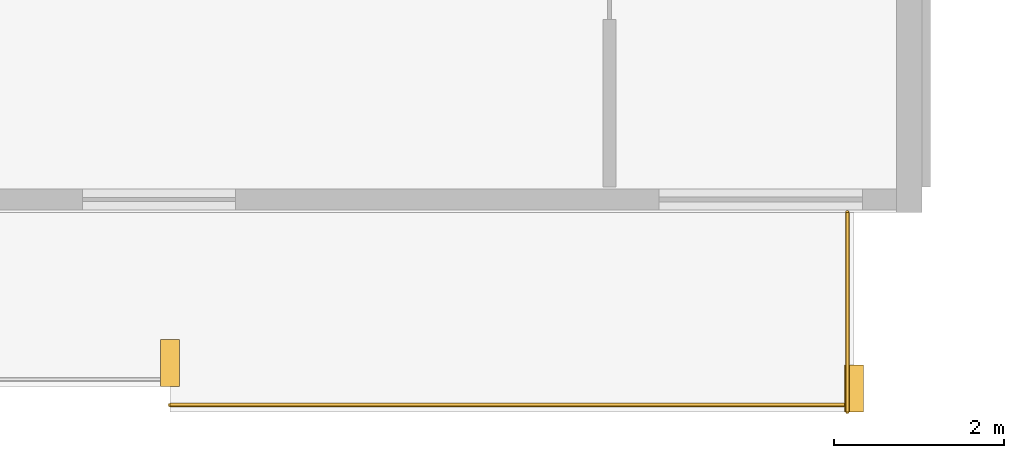
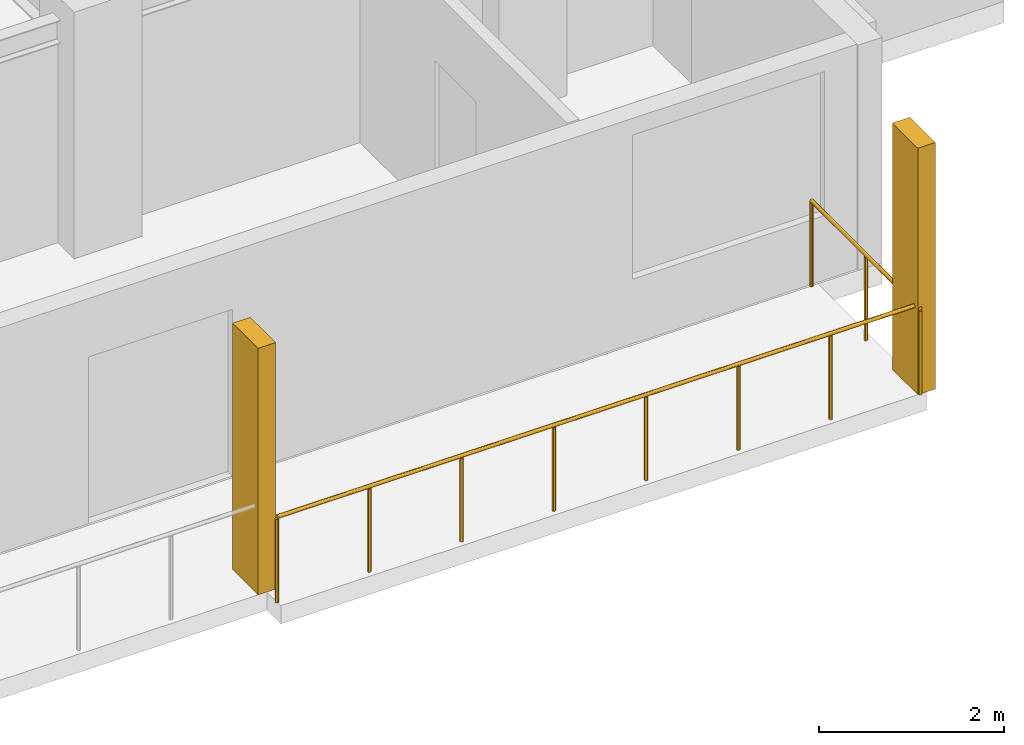
# One storey, part 20 of 22: 2 railings, 2 shading devices.
"""IFC4 building model written with IfcOpenShell, lengths in metres."""

from ifc_helpers import new_model, si_unit, direction, frame, origin, origin_2d, place, context, subcontext, project, spatial, rectangle, circle, extrude, material, type_object, element, save


model = new_model("IFC4")

# Units and contexts
model_context = context("Model", 3, precision=1e-05, world=origin(), true_north=direction((0.0, 1.0)))
body_context = subcontext(model_context, "Body", "Model", "MODEL_VIEW")
ifc_project = project(units=[si_unit("LENGTHUNIT", "METRE"), si_unit("AREAUNIT", "SQUARE_METRE"), si_unit("VOLUMEUNIT", "CUBIC_METRE"), si_unit("PLANEANGLEUNIT", "RADIAN"), si_unit("MASSUNIT", "GRAM", prefix="KILO")], contexts=[model_context])

# Site, building, storey
site_placement = place(None, origin())
site = spatial("IfcSite", under=ifc_project, at=site_placement, CompositionType="ELEMENT")
building_placement = place(site_placement, origin())
building = spatial("IfcBuilding", under=site, at=building_placement, Name="Korimba Cascade Residences", CompositionType="ELEMENT")
storey_placement = place(building_placement, frame((0.0, 0.0, 129.550048828125)))
storey = spatial("IfcBuildingStorey", under=building, at=storey_placement, Name="L37", CompositionType="ELEMENT", Elevation=129.550048828125)

# Railings
ifc_material_1 = material(Name="Laminated Glass and Bronze Balustrade", Category="glass")
railing_type = type_object("IfcRailingType", Name="RLG-LOG-1150", PredefinedType="BALUSTRADE", material=ifc_material_1)
railing_1_placement = place(storey_placement, frame((121.843017578125, -11.27001953125, 0.0)))
element("IfcRailing", 1, at=railing_1_placement, inside=storey, type_object=railing_type, Name="L37 Perimeter Guardrail RLG-L37-T2-LOG-06", PredefinedType="BALUSTRADE", context=body_context, shape_type="SweptSolid", body=[
    extrude(circle(Radius=0.02392578125, at=origin_2d()), frame((0.0, 0.0, 1.1259765625), z_axis=(1.0, 0.0, 0.0), x_axis=(0.0, 1.0, 0.0)), (0.0, 0.0, 1.0), 8.056884765625),
    extrude(circle(Radius=0.02099609375, at=origin_2d()), origin(), (0.0, 0.0, 1.0), 1.101806640625),
    extrude(circle(Radius=0.02099609375, at=origin_2d()), frame((1.15087890625, 0.0, 0.0)), (0.0, 0.0, 1.0), 1.101806640625),
    extrude(circle(Radius=0.02099609375, at=origin_2d()), frame((2.302001953125, 0.0, 0.0)), (0.0, 0.0, 1.0), 1.101806640625),
    extrude(circle(Radius=0.02099609375, at=origin_2d()), frame((3.452880859375, 0.0, 0.0)), (0.0, 0.0, 1.0), 1.101806640625),
    extrude(circle(Radius=0.02099609375, at=origin_2d()), frame((4.60400390625, 0.0, 0.0)), (0.0, 0.0, 1.0), 1.101806640625),
    extrude(circle(Radius=0.02099609375, at=origin_2d()), frame((5.7548828125, 0.0, 0.0)), (0.0, 0.0, 1.0), 1.101806640625),
    extrude(circle(Radius=0.02099609375, at=origin_2d()), frame((6.906005859375, 0.0, 0.0)), (0.0, 0.0, 1.0), 1.101806640625),
    extrude(circle(Radius=0.02099609375, at=origin_2d()), frame((8.056884765625, 0.0, 0.0)), (0.0, 0.0, 1.0), 1.101806640625),
])
railing_2_placement = place(storey_placement, frame((129.820068359375, -11.35009765625, 0.0)))
element("IfcRailing", 2, at=railing_2_placement, inside=storey, type_object=railing_type, Name="L37 Perimeter Guardrail RLG-L37-T2-LOG-07", PredefinedType="BALUSTRADE", context=body_context, shape_type="SweptSolid", body=[
    extrude(circle(Radius=0.02392578125, at=origin_2d()), frame((0.0, 0.0, 1.1259765625), z_axis=(0.0, 1.0, 0.0), x_axis=(-1.0, 0.0, 0.0)), (0.0, 0.0, 1.0), 2.35009765625),
    extrude(circle(Radius=0.02099609375, at=origin_2d()), origin(), (0.0, 0.0, 1.0), 1.101806640625),
    extrude(circle(Radius=0.02099609375, at=origin_2d()), frame((0.0, 1.175048828125, 0.0)), (0.0, 0.0, 1.0), 1.101806640625),
    extrude(circle(Radius=0.02099609375, at=origin_2d()), frame((0.0, 2.35009765625, 0.0)), (0.0, 0.0, 1.0), 1.101806640625),
])

# Shading devices
ifc_material_2 = material(Name="Honed Sandstone Precast Fin", Category="masonry")
shading_device_type = type_object("IfcShadingDeviceType", Name="SHD-FIN-550", PredefinedType="USERDEFINED", material=ifc_material_2)
for number, where, z_axis, x_axis, name in (
    (3, (121.843017578125, -10.77490234375, 0.0), (0.0, 0.0, 1.0), (1.0, 0.0, 0.0), "L37 T2 Warm-Stone Loggia Fin 7"),
    (4, (129.89990234375, -11.074951171875, 0.0), (0.0, 0.0, 1.0), (1.0, 0.0, 0.0), "L37 T2 Warm-Stone Loggia Fin 8"),
):
    element("IfcShadingDevice", number, at=place(storey_placement, frame(where, z_axis=z_axis, x_axis=x_axis)), inside=storey, type_object=shading_device_type, Name=name, ObjectType="FIN", PredefinedType="USERDEFINED", context=body_context, shape_type="SweptSolid", body=[
        extrude(rectangle(XDim=0.219970703125, YDim=0.550048828125, at=origin_2d()), origin(), (0.0, 0.0, 1.0), 3.25),
    ])

save(model, "model.ifc")
